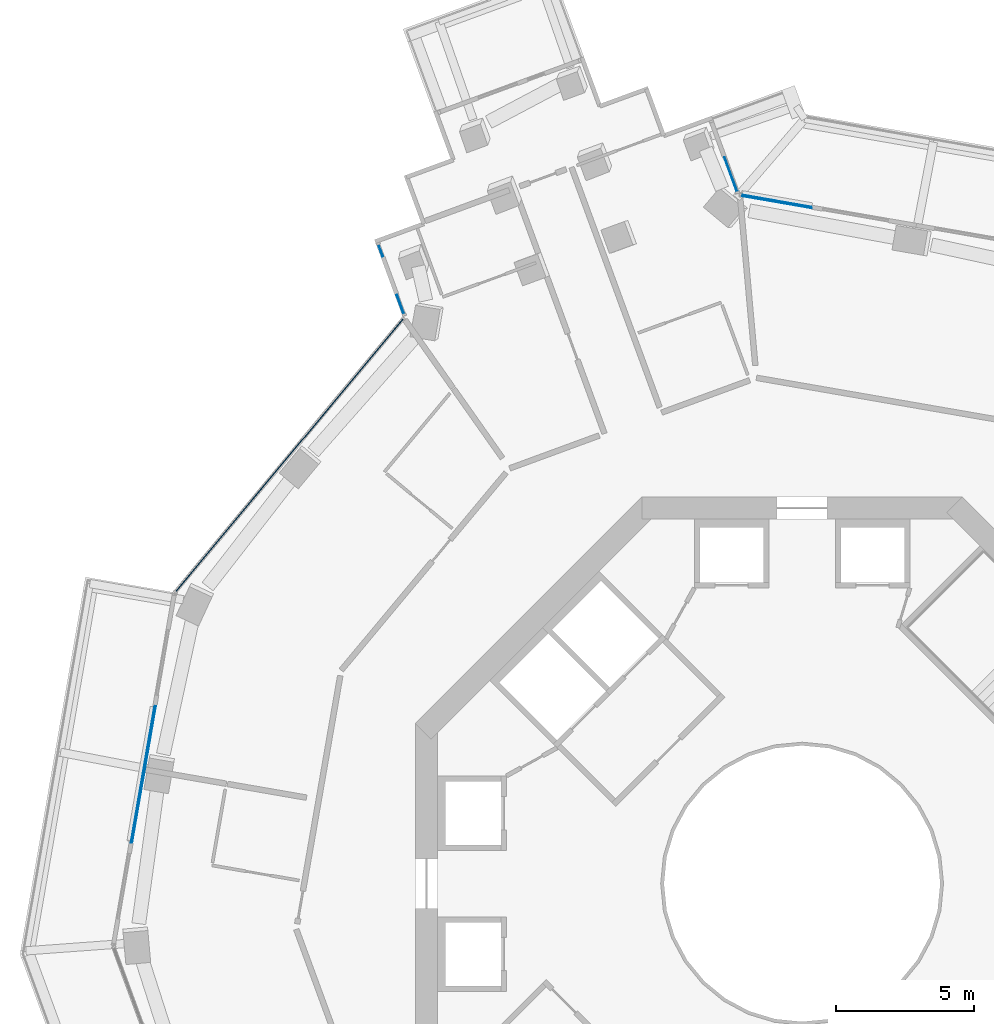
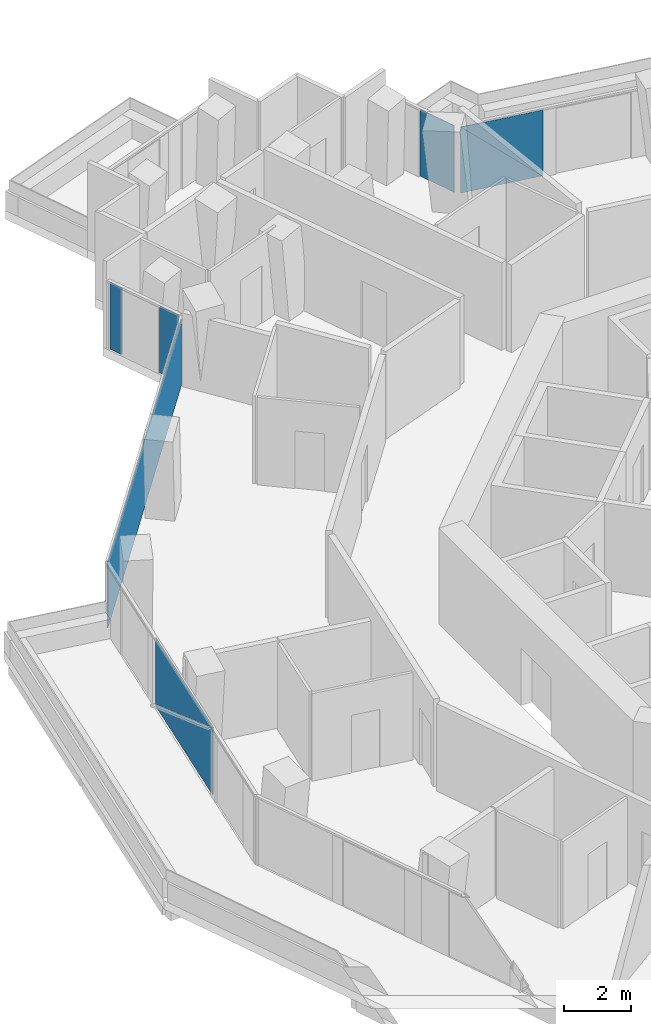
# One storey, part 14 of 24: 8 plates, 5 elements without a shape of their own.
"""IFC4 building model written with IfcOpenShell, lengths in metres."""

from ifc_helpers import new_model, si_unit, direction, frame, origin, origin_2d, place, context, subcontext, project, spatial, polyline, rectangle, outline, extrude, material, layer, layer_set, type_object, element, aggregate, save


model = new_model("IFC4")

# Units and contexts
model_context = context("Model", 3, precision=1e-05, world=origin(), true_north=direction((0.0, 1.0)))
body_context = subcontext(model_context, "Body", "Model", "MODEL_VIEW")
ifc_project = project(units=[si_unit("LENGTHUNIT", "METRE"), si_unit("AREAUNIT", "SQUARE_METRE"), si_unit("VOLUMEUNIT", "CUBIC_METRE"), si_unit("PLANEANGLEUNIT", "RADIAN"), si_unit("MASSUNIT", "GRAM", prefix="KILO")], contexts=[model_context])

# Site, building, storey
site_placement = place(None, origin())
site = spatial("IfcSite", under=ifc_project, at=site_placement, CompositionType="ELEMENT")
building_placement = place(site_placement, origin())
building = spatial("IfcBuilding", under=site, at=building_placement, Name="Verdalira Terraces Hotel", CompositionType="ELEMENT")
storey_placement = place(building_placement, frame((0.0, 0.0, 115.0)))
storey = spatial("IfcBuildingStorey", under=building, at=storey_placement, Name="L27", CompositionType="ELEMENT", Elevation=115.0)

# Curtain wall, plate
ifc_material_1 = material(Name="Clear glass", Category="glass")
ifc_layer_1 = layer(ifc_material_1, 0.14990234375)
ifc_layer_set_1 = layer_set([ifc_layer_1], Name="CW1 curtain wall")
curtain_wall_type_1 = type_object("IfcCurtainWallType", Name="CW1 curtain wall", PredefinedType="NOTDEFINED", material=ifc_layer_set_1)
curtain_wall_1_placement = place(storey_placement, origin())
curtain_wall_1 = element("IfcCurtainWall", 1, at=curtain_wall_1_placement, inside=storey, type_object=curtain_wall_type_1, Name="CW1 curtain wall L27 edge 11", PredefinedType="NOTDEFINED")
ifc_material_2 = material(Name="Clear glass", Category="glass")
ifc_layer_2 = layer(ifc_material_2, 0.028076171875)
ifc_layer_set_2 = layer_set([ifc_layer_2], Name="CW1 glass unit 28")
plate_type_1 = type_object("IfcPlateType", Name="CW1 glass unit 28", PredefinedType="CURTAIN_PANEL", material=ifc_layer_set_2)
plate_1_placement = place(storey_placement, frame((-18.555908, 15.508301, 0.0), z_axis=(0.0, 0.0, 1.0), x_axis=(-0.640645907, -0.767836456, 0.0)))
plate_1 = element("IfcPlate", 2, at=plate_1_placement, type_object=plate_type_1, Name="CW1 glass unit", PredefinedType="CURTAIN_PANEL", context=body_context, shape_type="SweptSolid", body=[
    extrude(rectangle(XDim=12.839844, YDim=0.028076, at=origin_2d()), origin(), (0.0, 0.0, 1.0), 2.425049),
])
aggregate(curtain_wall_1, [plate_1])

# Curtain wall, plates
curtain_wall_2_placement = place(storey_placement, origin())
curtain_wall_2 = element("IfcCurtainWall", 3, at=curtain_wall_2_placement, inside=storey, type_object=curtain_wall_type_1, Name="CW1 curtain wall L27 edge 12", PredefinedType="NOTDEFINED")
plate_2_placement = place(storey_placement, frame((-23.844238, 3.954346, 1.212402), z_axis=(-0.98528883, 0.170897402, 0.0), x_axis=(-0.170897402, -0.98528883, 0.0)))
plate_2 = element("IfcPlate", 4, at=plate_2_placement, type_object=plate_type_1, Name="CW1 glass unit", PredefinedType="CURTAIN_PANEL", context=body_context, shape_type="SweptSolid", body=[
    extrude(outline(polyline([(-2.510742, -1.212402), (2.510742, -1.212402), (2.510742, 1.212402), (-2.510742, -1.212402)])), origin(), (0.0, 0.0, 1.0), 0.028076),
])
plate_3_placement = place(storey_placement, frame((-23.815674, 3.949463, 1.212402), z_axis=(-0.98528883, 0.170897402, 0.0), x_axis=(-0.170897402, -0.98528883, 0.0)))
plate_3 = element("IfcPlate", 5, at=plate_3_placement, type_object=plate_type_1, Name="CW1 glass unit", PredefinedType="CURTAIN_PANEL", context=body_context, shape_type="SweptSolid", body=[
    extrude(outline(polyline([(-2.510742, -1.212402), (2.510742, 1.212402), (-2.510742, 1.212402), (-2.510742, -1.212402)])), origin(), (0.0, 0.0, 1.0), 0.028076),
])
aggregate(curtain_wall_2, [plate_2, plate_3])

curtain_wall_3_placement = place(storey_placement, origin())
curtain_wall_3 = element("IfcCurtainWall", 6, at=curtain_wall_3_placement, inside=storey, type_object=curtain_wall_type_1, Name="CW1 curtain wall L27 edge 41", PredefinedType="NOTDEFINED")
plate_4_placement = place(storey_placement, frame((-0.931641, 24.69165, 1.212402), z_axis=(0.170897402, 0.98528883, 0.0), x_axis=(-0.98528883, 0.170897402, 0.0)))
plate_4 = element("IfcPlate", 7, at=plate_4_placement, type_object=plate_type_1, Name="CW1 glass unit", PredefinedType="CURTAIN_PANEL", context=body_context, shape_type="SweptSolid", body=[
    extrude(outline(polyline([(-1.302246, -1.212402), (1.302246, -1.212402), (1.302246, 1.212402), (-1.302246, -1.212402)])), origin(), (0.0, 0.0, 1.0), 0.028076),
])
plate_5_placement = place(storey_placement, frame((-0.936523, 24.663086, 1.212402), z_axis=(0.170897402, 0.98528883, 0.0), x_axis=(-0.98528883, 0.170897402, 0.0)))
plate_5 = element("IfcPlate", 8, at=plate_5_placement, type_object=plate_type_1, Name="CW1 glass unit", PredefinedType="CURTAIN_PANEL", context=body_context, shape_type="SweptSolid", body=[
    extrude(outline(polyline([(-1.302246, -1.212402), (1.302246, 1.212402), (-1.302246, 1.212402), (-1.302246, -1.212402)])), origin(), (0.0, 0.0, 1.0), 0.028076),
])
aggregate(curtain_wall_3, [plate_4, plate_5])

# Curtain wall, plate
ifc_material_3 = material(Name="Clear glass", Category="glass")
ifc_layer_3 = layer(ifc_material_3, 0.14990234375)
ifc_layer_set_3 = layer_set([ifc_layer_3], Name="CW2 curtain wall")
curtain_wall_type_2 = type_object("IfcCurtainWallType", Name="CW2 curtain wall", PredefinedType="NOTDEFINED", material=ifc_layer_set_3)
curtain_wall_4_placement = place(storey_placement, origin())
curtain_wall_4 = element("IfcCurtainWall", 9, at=curtain_wall_4_placement, inside=storey, type_object=curtain_wall_type_2, Name="CW2 curtain wall L27 edge 0", PredefinedType="NOTDEFINED")
ifc_material_4 = material(Name="Clear glass", Category="glass")
ifc_layer_4 = layer(ifc_material_4, 0.031982421875)
ifc_layer_set_4 = layer_set([ifc_layer_4], Name="CW2 glass unit 32")
plate_type_2 = type_object("IfcPlateType", Name="CW2 glass unit 32", PredefinedType="CURTAIN_PANEL", material=ifc_layer_set_4)
plate_6_placement = place(storey_placement, frame((-2.581055, 25.672363, 0.0), z_axis=(0.0, 0.0, 1.0), x_axis=(-0.344642923, 0.938733858, 0.0)))
plate_6 = element("IfcPlate", 10, at=plate_6_placement, type_object=plate_type_2, Name="CW2 glass unit", PredefinedType="CURTAIN_PANEL", context=body_context, shape_type="SweptSolid", body=[
    extrude(rectangle(XDim=1.321533, YDim=0.031982, at=origin_2d()), origin(), (0.0, 0.0, 1.0), 2.425049),
])
aggregate(curtain_wall_4, [plate_6])

# Curtain wall, plates
curtain_wall_5_placement = place(storey_placement, origin())
curtain_wall_5 = element("IfcCurtainWall", 11, at=curtain_wall_5_placement, inside=storey, type_object=curtain_wall_type_2, Name="CW2 curtain wall L27 edge 10", PredefinedType="NOTDEFINED")
plate_7_placement = place(storey_placement, frame((-15.256592, 22.91333, 0.0), z_axis=(0.0, 0.0, 1.0), x_axis=(0.344642923, -0.938733858, 0.0)))
plate_7 = element("IfcPlate", 12, at=plate_7_placement, type_object=plate_type_2, Name="CW2 glass unit", PredefinedType="CURTAIN_PANEL", context=body_context, shape_type="SweptSolid", body=[
    extrude(rectangle(XDim=0.459961, YDim=0.031982, at=origin_2d()), origin(), (0.0, 0.0, 1.0), 2.425049),
])
plate_8_placement = place(storey_placement, frame((-14.541992, 20.966797, 0.0), z_axis=(0.0, 0.0, 1.0), x_axis=(0.344642923, -0.938733858, 0.0)))
plate_8 = element("IfcPlate", 13, at=plate_8_placement, type_object=plate_type_2, Name="CW2 glass unit", PredefinedType="CURTAIN_PANEL", context=body_context, shape_type="SweptSolid", body=[
    extrude(rectangle(XDim=0.731201, YDim=0.031982, at=origin_2d()), origin(), (0.0, 0.0, 1.0), 2.425049),
])
aggregate(curtain_wall_5, [plate_7, plate_8])

save(model, "model.ifc")
